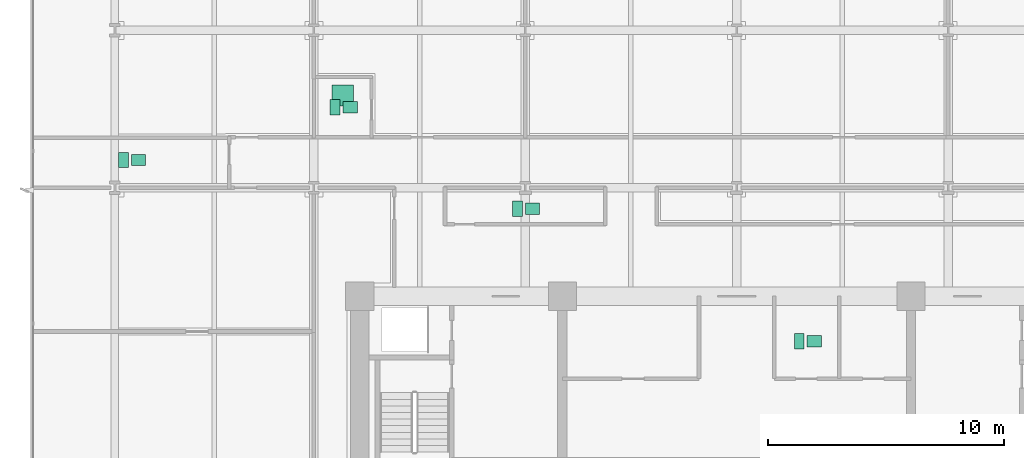
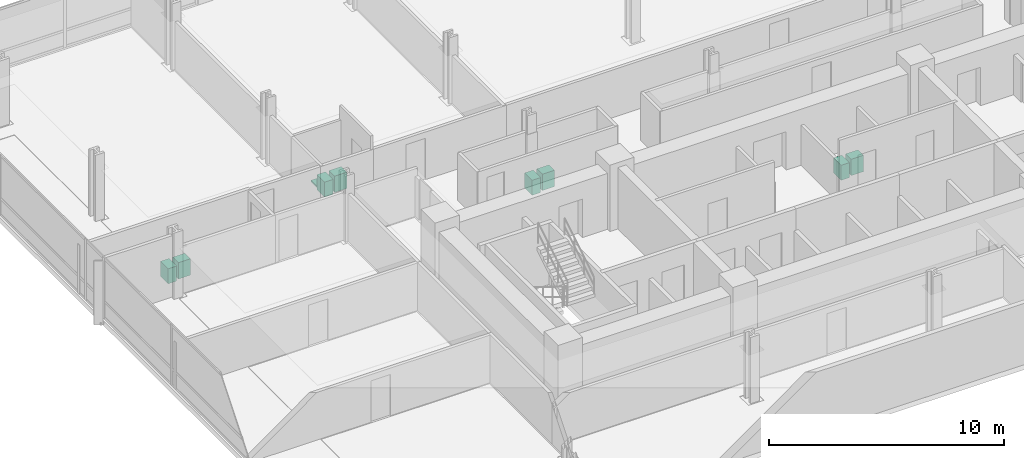
# One storey, part 21 of 21: 9 sanitary terminals.
"""IFC4 building model written with IfcOpenShell, lengths in metres."""

from ifc_helpers import new_model, si_unit, direction, frame, origin, origin_2d, place, context, subcontext, project, spatial, rectangle, extrude, material, type_object, element, save


model = new_model("IFC4")

# Units and contexts
model_context = context("Model", 3, precision=1e-05, world=origin(), true_north=direction((0.0, 1.0)))
body_context = subcontext(model_context, "Body", "Model", "MODEL_VIEW")
ifc_project = project(units=[si_unit("LENGTHUNIT", "METRE"), si_unit("AREAUNIT", "SQUARE_METRE"), si_unit("VOLUMEUNIT", "CUBIC_METRE"), si_unit("PLANEANGLEUNIT", "RADIAN"), si_unit("MASSUNIT", "GRAM", prefix="KILO")], contexts=[model_context])

# Site, building, storey
site_placement = place(None, origin())
site = spatial("IfcSite", under=ifc_project, at=site_placement, CompositionType="ELEMENT")
building_placement = place(site_placement, origin())
building = spatial("IfcBuilding", under=site, at=building_placement, Name="Solmavex Isthmus Hotel", CompositionType="ELEMENT")
storey_placement = place(building_placement, frame((0.0, 0.0, 54.0)))
storey = spatial("IfcBuildingStorey", under=building, at=storey_placement, Name="L14", CompositionType="ELEMENT", Elevation=54.0)

# Sanitary terminals
ifc_material = material(Name="Vitreous china ceramic", Category="ceramic")
sanitary_terminal_type_1 = type_object("IfcSanitaryTerminalType", Name="SAN-BASIN", PredefinedType="WASHHANDBASIN", material=ifc_material)
for number, where, z_axis, x_axis, name in (
    (1, (3.294921875, -4.409912109375, 0.0), (0.0, 0.0, 1.0), (1.0, 0.0, 0.0), "Vanity Washbasin L14-66"),
    (2, (-16.406982421875, 5.52490234375, 0.0), (0.0, 0.0, 1.0), (1.0, 0.0, 0.0), "Vanity Washbasin L14-67"),
    (3, (-8.666015625, 1.21240234375, 0.0), (0.0, 0.0, 1.0), (1.0, 0.0, 0.0), "Vanity Washbasin L14-68"),
    (4, (-25.39599609375, 3.277587890625, 0.0), (0.0, 0.0, 1.0), (1.0, 0.0, 0.0), "Vanity Washbasin L14-69"),
):
    element("IfcSanitaryTerminal", number, at=place(storey_placement, frame(where, z_axis=z_axis, x_axis=x_axis)), inside=storey, type_object=sanitary_terminal_type_1, Name=name, PredefinedType="WASHHANDBASIN", context=body_context, shape_type="SweptSolid", body=[
        extrude(rectangle(XDim=0.60009765625, YDim=0.47998046875, at=origin_2d()), origin(), (0.0, 0.0, 1.0), 0.85009765625),
    ])
sanitary_terminal_type_2 = type_object("IfcSanitaryTerminalType", Name="SAN-SHOWER", PredefinedType="SHOWER", material=ifc_material)
sanitary_terminal_placement = place(storey_placement, frame((-16.72705078125, 6.02490234375, 0.0), z_axis=(0.0, 0.0, 1.0), x_axis=(1.0, 0.0, 0.0)))
element("IfcSanitaryTerminal", 5, at=sanitary_terminal_placement, inside=storey, type_object=sanitary_terminal_type_2, Name="Walk-In Shower L14-67", PredefinedType="SHOWER", context=body_context, shape_type="SweptSolid", body=[
    extrude(rectangle(XDim=0.89990234375, YDim=0.89990234375, at=origin_2d()), origin(), (0.0, 0.0, 1.0), 0.080078125),
])
sanitary_terminal_type_3 = type_object("IfcSanitaryTerminalType", Name="SAN-WC-SUITE", PredefinedType="TOILETPAN", material=ifc_material)
for number, where, z_axis, x_axis, name in (
    (6, (2.655029296875, -4.409912109375, 0.0), (0.0, 0.0, 1.0), (1.0, 0.0, 0.0), "Water Closet L14-66"),
    (7, (-17.047119140625, 5.52490234375, 0.0), (0.0, 0.0, 1.0), (1.0, 0.0, 0.0), "Water Closet L14-67"),
    (8, (-9.305908203125, 1.21240234375, 0.0), (0.0, 0.0, 1.0), (1.0, 0.0, 0.0), "Water Closet L14-68"),
    (9, (-26.035888671875, 3.277587890625, 0.0), (0.0, 0.0, 1.0), (1.0, 0.0, 0.0), "Water Closet L14-69"),
):
    element("IfcSanitaryTerminal", number, at=place(storey_placement, frame(where, z_axis=z_axis, x_axis=x_axis)), inside=storey, type_object=sanitary_terminal_type_3, Name=name, PredefinedType="TOILETPAN", context=body_context, shape_type="SweptSolid", body=[
        extrude(rectangle(XDim=0.419921875, YDim=0.64990234375, at=origin_2d()), origin(), (0.0, 0.0, 1.0), 0.780029296875),
    ])

save(model, "model.ifc")
